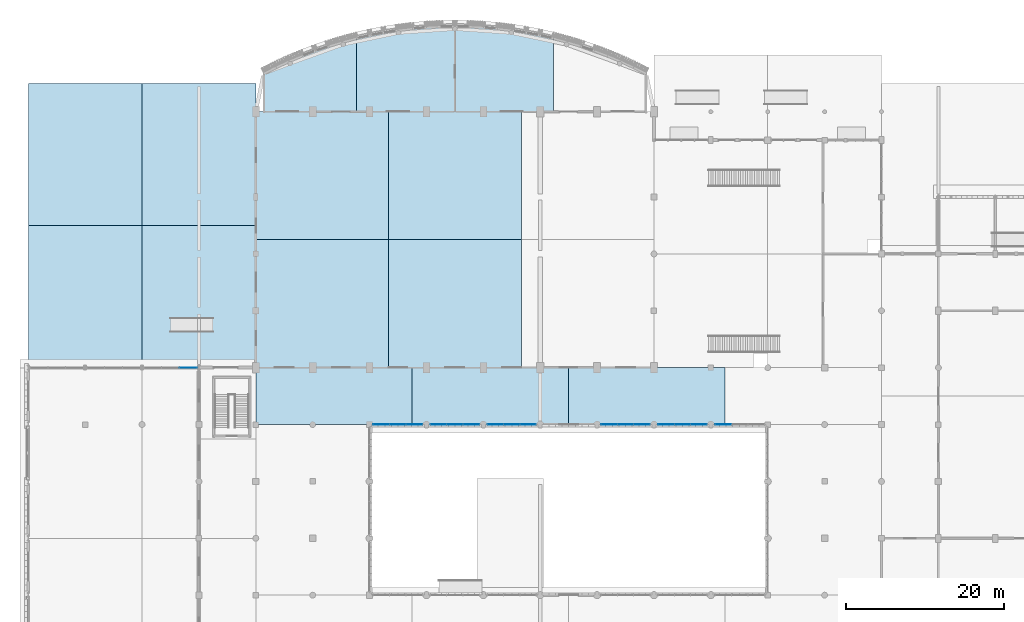
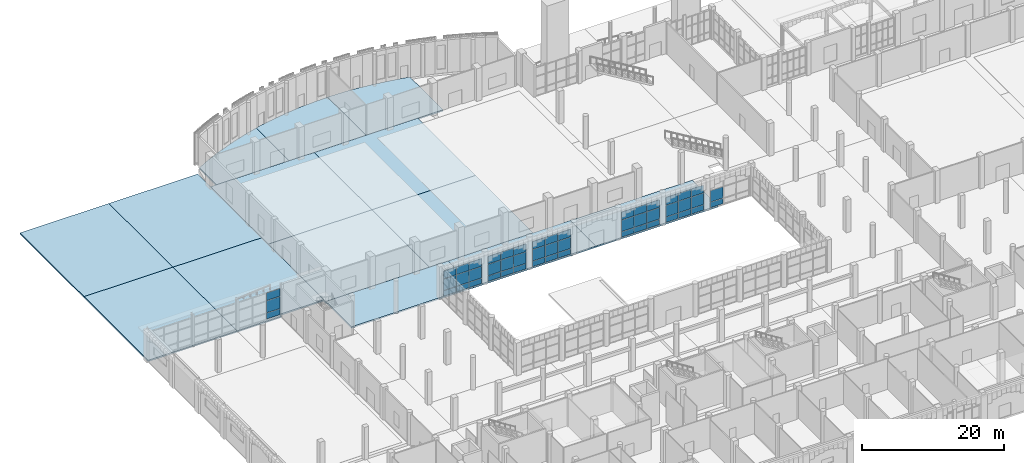
# One storey, part 42 of 85: 50 plates, 14 slabs, 7 elements without a shape of their own.
"""IFC4 building model written with IfcOpenShell, lengths in metres."""

from ifc_helpers import new_model, si_unit, direction, frame, origin, origin_2d, place, context, subcontext, project, spatial, polyline, rectangle, outline, extrude, material, layer, layer_set, type_object, element, aggregate, save


model = new_model("IFC4")

# Units and contexts
model_context = context("Model", 3, precision=1e-05, world=origin(), true_north=direction((0.0, 1.0)))
body_context = subcontext(model_context, "Body", "Model", "MODEL_VIEW")
ifc_project = project(units=[si_unit("LENGTHUNIT", "METRE"), si_unit("AREAUNIT", "SQUARE_METRE"), si_unit("VOLUMEUNIT", "CUBIC_METRE"), si_unit("PLANEANGLEUNIT", "RADIAN"), si_unit("MASSUNIT", "GRAM", prefix="KILO")], contexts=[model_context])

# Site, building, storey
site_placement = place(None, origin())
site = spatial("IfcSite", under=ifc_project, at=site_placement, CompositionType="ELEMENT")
building_placement = place(site_placement, origin())
building = spatial("IfcBuilding", under=site, at=building_placement, Name="Sardonyx Promenade Sports Hall", CompositionType="ELEMENT")
storey_placement = place(building_placement, origin())
storey = spatial("IfcBuildingStorey", under=building, at=storey_placement, Name="L00", CompositionType="ELEMENT", Elevation=0.0)

# Curtain wall, plates
ifc_material_1 = material(Name="Aluminium 6063-T6", Category="aluminium")
curtain_wall_type_1 = type_object("IfcCurtainWallType", Name="CW_Riwaq_L00_640", PredefinedType="USERDEFINED", material=ifc_material_1)
curtain_wall_1_placement = place(storey_placement, origin())
curtain_wall_1 = element("IfcCurtainWall", 1, at=curtain_wall_1_placement, inside=storey, type_object=curtain_wall_type_1, Name="Curtain wall CW17 cw:L00:109", ObjectType="CURTAIN WALL", PredefinedType="USERDEFINED")
ifc_material_2 = material(Name="Double-glazed acoustic IGU 32 mm", Category="glass")
ifc_layer_1 = layer(ifc_material_2, 0.031982421875)
ifc_layer_set_1 = layer_set([ifc_layer_1], Name="CW_Pan_Glz_32")
plate_type_1 = type_object("IfcPlateType", Name="CW_Pan_Glz_32", PredefinedType="CURTAIN_PANEL", material=ifc_layer_set_1)
plate_1_placement = place(storey_placement, frame((48.856689453125, 64.800048828125, 0.06494140625), z_axis=(0.0, 0.0, 1.0), x_axis=(-1.0, 0.0, 0.0)))
plate_1 = element("IfcPlate", 2, at=plate_1_placement, type_object=plate_type_1, Name="Curtain panel CP02 cw:L00:109 #1", PredefinedType="CURTAIN_PANEL", context=body_context, shape_type="SweptSolid", body=[
    extrude(rectangle(XDim=2.0166015625, YDim=0.031982421875, at=origin_2d()), origin(), (0.0, 0.0, 1.0), 0.902587890625),
])
plate_2_placement = place(storey_placement, frame((48.856689453125, 64.800048828125, 1.032470703125), z_axis=(0.0, 0.0, 1.0), x_axis=(-1.0, 0.0, 0.0)))
plate_2 = element("IfcPlate", 3, at=plate_2_placement, type_object=plate_type_1, Name="Curtain panel CP02 cw:L00:109 #2", PredefinedType="CURTAIN_PANEL", context=body_context, shape_type="SweptSolid", body=[
    extrude(rectangle(XDim=2.0166015625, YDim=0.031982421875, at=origin_2d()), origin(), (0.0, 0.0, 1.0), 1.93505859375),
])
plate_3_placement = place(storey_placement, frame((48.856689453125, 64.800048828125, 3.03271484375), z_axis=(0.0, 0.0, 1.0), x_axis=(-1.0, 0.0, 0.0)))
plate_3 = element("IfcPlate", 4, at=plate_3_placement, type_object=plate_type_1, Name="Curtain panel CP02 cw:L00:109 #3", PredefinedType="CURTAIN_PANEL", context=body_context, shape_type="SweptSolid", body=[
    extrude(rectangle(XDim=2.0166015625, YDim=0.031982421875, at=origin_2d()), origin(), (0.0, 0.0, 1.0), 1.302490234375),
])
plate_4_placement = place(storey_placement, frame((46.77490234375, 64.800048828125, 0.06494140625), z_axis=(0.0, 0.0, 1.0), x_axis=(-1.0, 0.0, 0.0)))
plate_4 = element("IfcPlate", 5, at=plate_4_placement, type_object=plate_type_1, Name="Curtain panel CP02 cw:L00:109 #4", PredefinedType="CURTAIN_PANEL", context=body_context, shape_type="SweptSolid", body=[
    extrude(rectangle(XDim=2.0166015625, YDim=0.031982421875, at=origin_2d()), origin(), (0.0, 0.0, 1.0), 0.902587890625),
])
plate_5_placement = place(storey_placement, frame((46.77490234375, 64.800048828125, 1.032470703125), z_axis=(0.0, 0.0, 1.0), x_axis=(-1.0, 0.0, 0.0)))
plate_5 = element("IfcPlate", 6, at=plate_5_placement, type_object=plate_type_1, Name="Curtain panel CP02 cw:L00:109 #5", PredefinedType="CURTAIN_PANEL", context=body_context, shape_type="SweptSolid", body=[
    extrude(rectangle(XDim=2.0166015625, YDim=0.031982421875, at=origin_2d()), origin(), (0.0, 0.0, 1.0), 1.93505859375),
])
plate_6_placement = place(storey_placement, frame((46.77490234375, 64.800048828125, 3.03271484375), z_axis=(0.0, 0.0, 1.0), x_axis=(-1.0, 0.0, 0.0)))
plate_6 = element("IfcPlate", 7, at=plate_6_placement, type_object=plate_type_1, Name="Curtain panel CP02 cw:L00:109 #6", PredefinedType="CURTAIN_PANEL", context=body_context, shape_type="SweptSolid", body=[
    extrude(rectangle(XDim=2.0166015625, YDim=0.031982421875, at=origin_2d()), origin(), (0.0, 0.0, 1.0), 1.302490234375),
])
plate_7_placement = place(storey_placement, frame((44.693359375, 64.800048828125, 0.06494140625), z_axis=(0.0, 0.0, 1.0), x_axis=(-1.0, 0.0, 0.0)))
plate_7 = element("IfcPlate", 8, at=plate_7_placement, type_object=plate_type_1, Name="Curtain panel CP02 cw:L00:109 #7", PredefinedType="CURTAIN_PANEL", context=body_context, shape_type="SweptSolid", body=[
    extrude(rectangle(XDim=2.0166015625, YDim=0.031982421875, at=origin_2d()), origin(), (0.0, 0.0, 1.0), 0.902587890625),
])
plate_8_placement = place(storey_placement, frame((44.693359375, 64.800048828125, 1.032470703125), z_axis=(0.0, 0.0, 1.0), x_axis=(-1.0, 0.0, 0.0)))
plate_8 = element("IfcPlate", 9, at=plate_8_placement, type_object=plate_type_1, Name="Curtain panel CP02 cw:L00:109 #8", PredefinedType="CURTAIN_PANEL", context=body_context, shape_type="SweptSolid", body=[
    extrude(rectangle(XDim=2.0166015625, YDim=0.031982421875, at=origin_2d()), origin(), (0.0, 0.0, 1.0), 1.93505859375),
])
plate_9_placement = place(storey_placement, frame((44.693359375, 64.800048828125, 3.03271484375), z_axis=(0.0, 0.0, 1.0), x_axis=(-1.0, 0.0, 0.0)))
plate_9 = element("IfcPlate", 10, at=plate_9_placement, type_object=plate_type_1, Name="Curtain panel CP02 cw:L00:109 #9", PredefinedType="CURTAIN_PANEL", context=body_context, shape_type="SweptSolid", body=[
    extrude(rectangle(XDim=2.0166015625, YDim=0.031982421875, at=origin_2d()), origin(), (0.0, 0.0, 1.0), 1.302490234375),
])
aggregate(curtain_wall_1, [plate_1, plate_2, plate_3, plate_4, plate_5, plate_6, plate_7, plate_8, plate_9])

curtain_wall_2_placement = place(storey_placement, origin())
curtain_wall_2 = element("IfcCurtainWall", 11, at=curtain_wall_2_placement, inside=storey, type_object=curtain_wall_type_1, Name="Curtain wall CW17 cw:L00:111", ObjectType="CURTAIN WALL", PredefinedType="USERDEFINED")
plate_10_placement = place(storey_placement, frame((56.06494140625, 64.800048828125, 0.06494140625), z_axis=(0.0, 0.0, 1.0), x_axis=(-1.0, 0.0, 0.0)))
plate_10 = element("IfcPlate", 12, at=plate_10_placement, type_object=plate_type_1, Name="Curtain panel CP02 cw:L00:111 #1", PredefinedType="CURTAIN_PANEL", context=body_context, shape_type="SweptSolid", body=[
    extrude(rectangle(XDim=2.0, YDim=0.031982421875, at=origin_2d()), origin(), (0.0, 0.0, 1.0), 0.902587890625),
])
plate_11_placement = place(storey_placement, frame((56.06494140625, 64.800048828125, 1.032470703125), z_axis=(0.0, 0.0, 1.0), x_axis=(-1.0, 0.0, 0.0)))
plate_11 = element("IfcPlate", 13, at=plate_11_placement, type_object=plate_type_1, Name="Curtain panel CP02 cw:L00:111 #2", PredefinedType="CURTAIN_PANEL", context=body_context, shape_type="SweptSolid", body=[
    extrude(rectangle(XDim=2.0, YDim=0.031982421875, at=origin_2d()), origin(), (0.0, 0.0, 1.0), 1.93505859375),
])
plate_12_placement = place(storey_placement, frame((56.06494140625, 64.800048828125, 3.03271484375), z_axis=(0.0, 0.0, 1.0), x_axis=(-1.0, 0.0, 0.0)))
plate_12 = element("IfcPlate", 14, at=plate_12_placement, type_object=plate_type_1, Name="Curtain panel CP02 cw:L00:111 #3", PredefinedType="CURTAIN_PANEL", context=body_context, shape_type="SweptSolid", body=[
    extrude(rectangle(XDim=2.0, YDim=0.031982421875, at=origin_2d()), origin(), (0.0, 0.0, 1.0), 1.302490234375),
])
plate_13_placement = place(storey_placement, frame((54.0, 64.800048828125, 0.06494140625), z_axis=(0.0, 0.0, 1.0), x_axis=(-1.0, 0.0, 0.0)))
plate_13 = element("IfcPlate", 15, at=plate_13_placement, type_object=plate_type_1, Name="Curtain panel CP02 cw:L00:111 #4", PredefinedType="CURTAIN_PANEL", context=body_context, shape_type="SweptSolid", body=[
    extrude(rectangle(XDim=2.0, YDim=0.031982421875, at=origin_2d()), origin(), (0.0, 0.0, 1.0), 0.902587890625),
])
plate_14_placement = place(storey_placement, frame((54.0, 64.800048828125, 1.032470703125), z_axis=(0.0, 0.0, 1.0), x_axis=(-1.0, 0.0, 0.0)))
plate_14 = element("IfcPlate", 16, at=plate_14_placement, type_object=plate_type_1, Name="Curtain panel CP02 cw:L00:111 #5", PredefinedType="CURTAIN_PANEL", context=body_context, shape_type="SweptSolid", body=[
    extrude(rectangle(XDim=2.0, YDim=0.031982421875, at=origin_2d()), origin(), (0.0, 0.0, 1.0), 1.93505859375),
])
plate_15_placement = place(storey_placement, frame((54.0, 64.800048828125, 3.03271484375), z_axis=(0.0, 0.0, 1.0), x_axis=(-1.0, 0.0, 0.0)))
plate_15 = element("IfcPlate", 17, at=plate_15_placement, type_object=plate_type_1, Name="Curtain panel CP02 cw:L00:111 #6", PredefinedType="CURTAIN_PANEL", context=body_context, shape_type="SweptSolid", body=[
    extrude(rectangle(XDim=2.0, YDim=0.031982421875, at=origin_2d()), origin(), (0.0, 0.0, 1.0), 1.302490234375),
])
plate_16_placement = place(storey_placement, frame((51.93505859375, 64.800048828125, 0.06494140625), z_axis=(0.0, 0.0, 1.0), x_axis=(-1.0, 0.0, 0.0)))
plate_16 = element("IfcPlate", 18, at=plate_16_placement, type_object=plate_type_1, Name="Curtain panel CP02 cw:L00:111 #7", PredefinedType="CURTAIN_PANEL", context=body_context, shape_type="SweptSolid", body=[
    extrude(rectangle(XDim=2.0, YDim=0.031982421875, at=origin_2d()), origin(), (0.0, 0.0, 1.0), 0.902587890625),
])
plate_17_placement = place(storey_placement, frame((51.93505859375, 64.800048828125, 1.032470703125), z_axis=(0.0, 0.0, 1.0), x_axis=(-1.0, 0.0, 0.0)))
plate_17 = element("IfcPlate", 19, at=plate_17_placement, type_object=plate_type_1, Name="Curtain panel CP02 cw:L00:111 #8", PredefinedType="CURTAIN_PANEL", context=body_context, shape_type="SweptSolid", body=[
    extrude(rectangle(XDim=2.0, YDim=0.031982421875, at=origin_2d()), origin(), (0.0, 0.0, 1.0), 1.93505859375),
])
plate_18_placement = place(storey_placement, frame((51.93505859375, 64.800048828125, 3.03271484375), z_axis=(0.0, 0.0, 1.0), x_axis=(-1.0, 0.0, 0.0)))
plate_18 = element("IfcPlate", 20, at=plate_18_placement, type_object=plate_type_1, Name="Curtain panel CP02 cw:L00:111 #9", PredefinedType="CURTAIN_PANEL", context=body_context, shape_type="SweptSolid", body=[
    extrude(rectangle(XDim=2.0, YDim=0.031982421875, at=origin_2d()), origin(), (0.0, 0.0, 1.0), 1.302490234375),
])
aggregate(curtain_wall_2, [plate_10, plate_11, plate_12, plate_13, plate_14, plate_15, plate_16, plate_17, plate_18])

curtain_wall_3_placement = place(storey_placement, origin())
curtain_wall_3 = element("IfcCurtainWall", 21, at=curtain_wall_3_placement, inside=storey, type_object=curtain_wall_type_1, Name="Curtain wall CW17 cw:L00:113", ObjectType="CURTAIN WALL", PredefinedType="USERDEFINED")
plate_19_placement = place(storey_placement, frame((63.264892578125, 64.800048828125, 0.06494140625), z_axis=(0.0, 0.0, 1.0), x_axis=(-1.0, 0.0, 0.0)))
plate_19 = element("IfcPlate", 22, at=plate_19_placement, type_object=plate_type_1, Name="Curtain panel CP02 cw:L00:113 #1", PredefinedType="CURTAIN_PANEL", context=body_context, shape_type="SweptSolid", body=[
    extrude(rectangle(XDim=2.0, YDim=0.031982421875, at=origin_2d()), origin(), (0.0, 0.0, 1.0), 0.902587890625),
])
plate_20_placement = place(storey_placement, frame((63.264892578125, 64.800048828125, 1.032470703125), z_axis=(0.0, 0.0, 1.0), x_axis=(-1.0, 0.0, 0.0)))
plate_20 = element("IfcPlate", 23, at=plate_20_placement, type_object=plate_type_1, Name="Curtain panel CP02 cw:L00:113 #2", PredefinedType="CURTAIN_PANEL", context=body_context, shape_type="SweptSolid", body=[
    extrude(rectangle(XDim=2.0, YDim=0.031982421875, at=origin_2d()), origin(), (0.0, 0.0, 1.0), 1.93505859375),
])
plate_21_placement = place(storey_placement, frame((63.264892578125, 64.800048828125, 3.03271484375), z_axis=(0.0, 0.0, 1.0), x_axis=(-1.0, 0.0, 0.0)))
plate_21 = element("IfcPlate", 24, at=plate_21_placement, type_object=plate_type_1, Name="Curtain panel CP02 cw:L00:113 #3", PredefinedType="CURTAIN_PANEL", context=body_context, shape_type="SweptSolid", body=[
    extrude(rectangle(XDim=2.0, YDim=0.031982421875, at=origin_2d()), origin(), (0.0, 0.0, 1.0), 1.302490234375),
])
plate_22_placement = place(storey_placement, frame((61.199951171875, 64.800048828125, 0.06494140625), z_axis=(0.0, 0.0, 1.0), x_axis=(-1.0, 0.0, 0.0)))
plate_22 = element("IfcPlate", 25, at=plate_22_placement, type_object=plate_type_1, Name="Curtain panel CP02 cw:L00:113 #4", PredefinedType="CURTAIN_PANEL", context=body_context, shape_type="SweptSolid", body=[
    extrude(rectangle(XDim=2.0, YDim=0.031982421875, at=origin_2d()), origin(), (0.0, 0.0, 1.0), 0.902587890625),
])
plate_23_placement = place(storey_placement, frame((61.199951171875, 64.800048828125, 1.032470703125), z_axis=(0.0, 0.0, 1.0), x_axis=(-1.0, 0.0, 0.0)))
plate_23 = element("IfcPlate", 26, at=plate_23_placement, type_object=plate_type_1, Name="Curtain panel CP02 cw:L00:113 #5", PredefinedType="CURTAIN_PANEL", context=body_context, shape_type="SweptSolid", body=[
    extrude(rectangle(XDim=2.0, YDim=0.031982421875, at=origin_2d()), origin(), (0.0, 0.0, 1.0), 1.93505859375),
])
plate_24_placement = place(storey_placement, frame((61.199951171875, 64.800048828125, 3.03271484375), z_axis=(0.0, 0.0, 1.0), x_axis=(-1.0, 0.0, 0.0)))
plate_24 = element("IfcPlate", 27, at=plate_24_placement, type_object=plate_type_1, Name="Curtain panel CP02 cw:L00:113 #6", PredefinedType="CURTAIN_PANEL", context=body_context, shape_type="SweptSolid", body=[
    extrude(rectangle(XDim=2.0, YDim=0.031982421875, at=origin_2d()), origin(), (0.0, 0.0, 1.0), 1.302490234375),
])
plate_25_placement = place(storey_placement, frame((59.135009765625, 64.800048828125, 0.06494140625), z_axis=(0.0, 0.0, 1.0), x_axis=(-1.0, 0.0, 0.0)))
plate_25 = element("IfcPlate", 28, at=plate_25_placement, type_object=plate_type_1, Name="Curtain panel CP02 cw:L00:113 #7", PredefinedType="CURTAIN_PANEL", context=body_context, shape_type="SweptSolid", body=[
    extrude(rectangle(XDim=2.0, YDim=0.031982421875, at=origin_2d()), origin(), (0.0, 0.0, 1.0), 0.902587890625),
])
plate_26_placement = place(storey_placement, frame((59.135009765625, 64.800048828125, 1.032470703125), z_axis=(0.0, 0.0, 1.0), x_axis=(-1.0, 0.0, 0.0)))
plate_26 = element("IfcPlate", 29, at=plate_26_placement, type_object=plate_type_1, Name="Curtain panel CP02 cw:L00:113 #8", PredefinedType="CURTAIN_PANEL", context=body_context, shape_type="SweptSolid", body=[
    extrude(rectangle(XDim=2.0, YDim=0.031982421875, at=origin_2d()), origin(), (0.0, 0.0, 1.0), 1.93505859375),
])
plate_27_placement = place(storey_placement, frame((59.135009765625, 64.800048828125, 3.03271484375), z_axis=(0.0, 0.0, 1.0), x_axis=(-1.0, 0.0, 0.0)))
plate_27 = element("IfcPlate", 30, at=plate_27_placement, type_object=plate_type_1, Name="Curtain panel CP02 cw:L00:113 #9", PredefinedType="CURTAIN_PANEL", context=body_context, shape_type="SweptSolid", body=[
    extrude(rectangle(XDim=2.0, YDim=0.031982421875, at=origin_2d()), origin(), (0.0, 0.0, 1.0), 1.302490234375),
])
aggregate(curtain_wall_3, [plate_19, plate_20, plate_21, plate_22, plate_23, plate_24, plate_25, plate_26, plate_27])

curtain_wall_4_placement = place(storey_placement, origin())
curtain_wall_4 = element("IfcCurtainWall", 31, at=curtain_wall_4_placement, inside=storey, type_object=curtain_wall_type_1, Name="Curtain wall CW17 cw:L00:115", ObjectType="CURTAIN WALL", PredefinedType="USERDEFINED")
plate_28_placement = place(storey_placement, frame((77.6650390625, 64.800048828125, 0.06494140625), z_axis=(0.0, 0.0, 1.0), x_axis=(-1.0, 0.0, 0.0)))
plate_28 = element("IfcPlate", 32, at=plate_28_placement, type_object=plate_type_1, Name="Curtain panel CP02 cw:L00:115 #1", PredefinedType="CURTAIN_PANEL", context=body_context, shape_type="SweptSolid", body=[
    extrude(rectangle(XDim=2.0, YDim=0.031982421875, at=origin_2d()), origin(), (0.0, 0.0, 1.0), 0.902587890625),
])
plate_29_placement = place(storey_placement, frame((77.6650390625, 64.800048828125, 1.032470703125), z_axis=(0.0, 0.0, 1.0), x_axis=(-1.0, 0.0, 0.0)))
plate_29 = element("IfcPlate", 33, at=plate_29_placement, type_object=plate_type_1, Name="Curtain panel CP02 cw:L00:115 #2", PredefinedType="CURTAIN_PANEL", context=body_context, shape_type="SweptSolid", body=[
    extrude(rectangle(XDim=2.0, YDim=0.031982421875, at=origin_2d()), origin(), (0.0, 0.0, 1.0), 1.93505859375),
])
plate_30_placement = place(storey_placement, frame((77.6650390625, 64.800048828125, 3.03271484375), z_axis=(0.0, 0.0, 1.0), x_axis=(-1.0, 0.0, 0.0)))
plate_30 = element("IfcPlate", 34, at=plate_30_placement, type_object=plate_type_1, Name="Curtain panel CP02 cw:L00:115 #3", PredefinedType="CURTAIN_PANEL", context=body_context, shape_type="SweptSolid", body=[
    extrude(rectangle(XDim=2.0, YDim=0.031982421875, at=origin_2d()), origin(), (0.0, 0.0, 1.0), 1.302490234375),
])
plate_31_placement = place(storey_placement, frame((75.60009765625, 64.800048828125, 0.06494140625), z_axis=(0.0, 0.0, 1.0), x_axis=(-1.0, 0.0, 0.0)))
plate_31 = element("IfcPlate", 35, at=plate_31_placement, type_object=plate_type_1, Name="Curtain panel CP02 cw:L00:115 #4", PredefinedType="CURTAIN_PANEL", context=body_context, shape_type="SweptSolid", body=[
    extrude(rectangle(XDim=2.0, YDim=0.031982421875, at=origin_2d()), origin(), (0.0, 0.0, 1.0), 0.902587890625),
])
plate_32_placement = place(storey_placement, frame((75.60009765625, 64.800048828125, 1.032470703125), z_axis=(0.0, 0.0, 1.0), x_axis=(-1.0, 0.0, 0.0)))
plate_32 = element("IfcPlate", 36, at=plate_32_placement, type_object=plate_type_1, Name="Curtain panel CP02 cw:L00:115 #5", PredefinedType="CURTAIN_PANEL", context=body_context, shape_type="SweptSolid", body=[
    extrude(rectangle(XDim=2.0, YDim=0.031982421875, at=origin_2d()), origin(), (0.0, 0.0, 1.0), 1.93505859375),
])
plate_33_placement = place(storey_placement, frame((75.60009765625, 64.800048828125, 3.03271484375), z_axis=(0.0, 0.0, 1.0), x_axis=(-1.0, 0.0, 0.0)))
plate_33 = element("IfcPlate", 37, at=plate_33_placement, type_object=plate_type_1, Name="Curtain panel CP02 cw:L00:115 #6", PredefinedType="CURTAIN_PANEL", context=body_context, shape_type="SweptSolid", body=[
    extrude(rectangle(XDim=2.0, YDim=0.031982421875, at=origin_2d()), origin(), (0.0, 0.0, 1.0), 1.302490234375),
])
plate_34_placement = place(storey_placement, frame((73.534912109375, 64.800048828125, 0.06494140625), z_axis=(0.0, 0.0, 1.0), x_axis=(-1.0, 0.0, 0.0)))
plate_34 = element("IfcPlate", 38, at=plate_34_placement, type_object=plate_type_1, Name="Curtain panel CP02 cw:L00:115 #7", PredefinedType="CURTAIN_PANEL", context=body_context, shape_type="SweptSolid", body=[
    extrude(rectangle(XDim=2.0, YDim=0.031982421875, at=origin_2d()), origin(), (0.0, 0.0, 1.0), 0.902587890625),
])
plate_35_placement = place(storey_placement, frame((73.534912109375, 64.800048828125, 1.032470703125), z_axis=(0.0, 0.0, 1.0), x_axis=(-1.0, 0.0, 0.0)))
plate_35 = element("IfcPlate", 39, at=plate_35_placement, type_object=plate_type_1, Name="Curtain panel CP02 cw:L00:115 #8", PredefinedType="CURTAIN_PANEL", context=body_context, shape_type="SweptSolid", body=[
    extrude(rectangle(XDim=2.0, YDim=0.031982421875, at=origin_2d()), origin(), (0.0, 0.0, 1.0), 1.93505859375),
])
plate_36_placement = place(storey_placement, frame((73.534912109375, 64.800048828125, 3.03271484375), z_axis=(0.0, 0.0, 1.0), x_axis=(-1.0, 0.0, 0.0)))
plate_36 = element("IfcPlate", 40, at=plate_36_placement, type_object=plate_type_1, Name="Curtain panel CP02 cw:L00:115 #9", PredefinedType="CURTAIN_PANEL", context=body_context, shape_type="SweptSolid", body=[
    extrude(rectangle(XDim=2.0, YDim=0.031982421875, at=origin_2d()), origin(), (0.0, 0.0, 1.0), 1.302490234375),
])
aggregate(curtain_wall_4, [plate_28, plate_29, plate_30, plate_31, plate_32, plate_33, plate_34, plate_35, plate_36])

curtain_wall_5_placement = place(storey_placement, origin())
curtain_wall_5 = element("IfcCurtainWall", 41, at=curtain_wall_5_placement, inside=storey, type_object=curtain_wall_type_1, Name="Curtain wall CW17 cw:L00:117", ObjectType="CURTAIN WALL", PredefinedType="USERDEFINED")
plate_37_placement = place(storey_placement, frame((84.864990234375, 64.800048828125, 0.06494140625), z_axis=(0.0, 0.0, 1.0), x_axis=(-1.0, 0.0, 0.0)))
plate_37 = element("IfcPlate", 42, at=plate_37_placement, type_object=plate_type_1, Name="Curtain panel CP02 cw:L00:117 #1", PredefinedType="CURTAIN_PANEL", context=body_context, shape_type="SweptSolid", body=[
    extrude(rectangle(XDim=2.0, YDim=0.031982421875, at=origin_2d()), origin(), (0.0, 0.0, 1.0), 0.902587890625),
])
plate_38_placement = place(storey_placement, frame((84.864990234375, 64.800048828125, 1.032470703125), z_axis=(0.0, 0.0, 1.0), x_axis=(-1.0, 0.0, 0.0)))
plate_38 = element("IfcPlate", 43, at=plate_38_placement, type_object=plate_type_1, Name="Curtain panel CP02 cw:L00:117 #2", PredefinedType="CURTAIN_PANEL", context=body_context, shape_type="SweptSolid", body=[
    extrude(rectangle(XDim=2.0, YDim=0.031982421875, at=origin_2d()), origin(), (0.0, 0.0, 1.0), 1.93505859375),
])
plate_39_placement = place(storey_placement, frame((84.864990234375, 64.800048828125, 3.03271484375), z_axis=(0.0, 0.0, 1.0), x_axis=(-1.0, 0.0, 0.0)))
plate_39 = element("IfcPlate", 44, at=plate_39_placement, type_object=plate_type_1, Name="Curtain panel CP02 cw:L00:117 #3", PredefinedType="CURTAIN_PANEL", context=body_context, shape_type="SweptSolid", body=[
    extrude(rectangle(XDim=2.0, YDim=0.031982421875, at=origin_2d()), origin(), (0.0, 0.0, 1.0), 1.302490234375),
])
plate_40_placement = place(storey_placement, frame((82.800048828125, 64.800048828125, 0.06494140625), z_axis=(0.0, 0.0, 1.0), x_axis=(-1.0, 0.0, 0.0)))
plate_40 = element("IfcPlate", 45, at=plate_40_placement, type_object=plate_type_1, Name="Curtain panel CP02 cw:L00:117 #4", PredefinedType="CURTAIN_PANEL", context=body_context, shape_type="SweptSolid", body=[
    extrude(rectangle(XDim=2.0, YDim=0.031982421875, at=origin_2d()), origin(), (0.0, 0.0, 1.0), 0.902587890625),
])
plate_41_placement = place(storey_placement, frame((82.800048828125, 64.800048828125, 1.032470703125), z_axis=(0.0, 0.0, 1.0), x_axis=(-1.0, 0.0, 0.0)))
plate_41 = element("IfcPlate", 46, at=plate_41_placement, type_object=plate_type_1, Name="Curtain panel CP02 cw:L00:117 #5", PredefinedType="CURTAIN_PANEL", context=body_context, shape_type="SweptSolid", body=[
    extrude(rectangle(XDim=2.0, YDim=0.031982421875, at=origin_2d()), origin(), (0.0, 0.0, 1.0), 1.93505859375),
])
plate_42_placement = place(storey_placement, frame((82.800048828125, 64.800048828125, 3.03271484375), z_axis=(0.0, 0.0, 1.0), x_axis=(-1.0, 0.0, 0.0)))
plate_42 = element("IfcPlate", 47, at=plate_42_placement, type_object=plate_type_1, Name="Curtain panel CP02 cw:L00:117 #6", PredefinedType="CURTAIN_PANEL", context=body_context, shape_type="SweptSolid", body=[
    extrude(rectangle(XDim=2.0, YDim=0.031982421875, at=origin_2d()), origin(), (0.0, 0.0, 1.0), 1.302490234375),
])
plate_43_placement = place(storey_placement, frame((80.735107421875, 64.800048828125, 0.06494140625), z_axis=(0.0, 0.0, 1.0), x_axis=(-1.0, 0.0, 0.0)))
plate_43 = element("IfcPlate", 48, at=plate_43_placement, type_object=plate_type_1, Name="Curtain panel CP02 cw:L00:117 #7", PredefinedType="CURTAIN_PANEL", context=body_context, shape_type="SweptSolid", body=[
    extrude(rectangle(XDim=2.0, YDim=0.031982421875, at=origin_2d()), origin(), (0.0, 0.0, 1.0), 0.902587890625),
])
plate_44_placement = place(storey_placement, frame((80.735107421875, 64.800048828125, 1.032470703125), z_axis=(0.0, 0.0, 1.0), x_axis=(-1.0, 0.0, 0.0)))
plate_44 = element("IfcPlate", 49, at=plate_44_placement, type_object=plate_type_1, Name="Curtain panel CP02 cw:L00:117 #8", PredefinedType="CURTAIN_PANEL", context=body_context, shape_type="SweptSolid", body=[
    extrude(rectangle(XDim=2.0, YDim=0.031982421875, at=origin_2d()), origin(), (0.0, 0.0, 1.0), 1.93505859375),
])
plate_45_placement = place(storey_placement, frame((80.735107421875, 64.800048828125, 3.03271484375), z_axis=(0.0, 0.0, 1.0), x_axis=(-1.0, 0.0, 0.0)))
plate_45 = element("IfcPlate", 50, at=plate_45_placement, type_object=plate_type_1, Name="Curtain panel CP02 cw:L00:117 #9", PredefinedType="CURTAIN_PANEL", context=body_context, shape_type="SweptSolid", body=[
    extrude(rectangle(XDim=2.0, YDim=0.031982421875, at=origin_2d()), origin(), (0.0, 0.0, 1.0), 1.302490234375),
])
aggregate(curtain_wall_5, [plate_37, plate_38, plate_39, plate_40, plate_41, plate_42, plate_43, plate_44, plate_45])

curtain_wall_6_placement = place(storey_placement, origin())
curtain_wall_6 = element("IfcCurtainWall", 51, at=curtain_wall_6_placement, inside=storey, type_object=curtain_wall_type_1, Name="Curtain wall CW17 cw:L00:119", ObjectType="CURTAIN WALL", PredefinedType="USERDEFINED")
plate_46_placement = place(storey_placement, frame((87.95166015625, 64.800048828125, 0.06494140625), z_axis=(0.0, 0.0, 1.0), x_axis=(-1.0, 0.0, 0.0)))
plate_46 = element("IfcPlate", 52, at=plate_46_placement, type_object=plate_type_1, Name="Curtain panel CP02 cw:L00:119 #7", PredefinedType="CURTAIN_PANEL", context=body_context, shape_type="SweptSolid", body=[
    extrude(rectangle(XDim=2.033447265625, YDim=0.031982421875, at=origin_2d()), origin(), (0.0, 0.0, 1.0), 0.902587890625),
])
plate_47_placement = place(storey_placement, frame((87.95166015625, 64.800048828125, 1.032470703125), z_axis=(0.0, 0.0, 1.0), x_axis=(-1.0, 0.0, 0.0)))
plate_47 = element("IfcPlate", 53, at=plate_47_placement, type_object=plate_type_1, Name="Curtain panel CP02 cw:L00:119 #8", PredefinedType="CURTAIN_PANEL", context=body_context, shape_type="SweptSolid", body=[
    extrude(rectangle(XDim=2.033447265625, YDim=0.031982421875, at=origin_2d()), origin(), (0.0, 0.0, 1.0), 1.93505859375),
])
aggregate(curtain_wall_6, [plate_46, plate_47])

ifc_material_3 = material(Name="Aluminium 6063-T6", Category="aluminium")
curtain_wall_type_2 = type_object("IfcCurtainWallType", Name="CW_Climb_North_L00", PredefinedType="USERDEFINED", material=ifc_material_3)
curtain_wall_7_placement = place(storey_placement, origin())
curtain_wall_7 = element("IfcCurtainWall", 54, at=curtain_wall_7_placement, inside=storey, type_object=curtain_wall_type_2, Name="Curtain wall CW05 cw:L00:071", ObjectType="CURTAIN WALL", PredefinedType="USERDEFINED")
ifc_material_4 = material(Name="Laminated safety sports IGU 36 mm", Category="glass")
ifc_layer_2 = layer(ifc_material_4, 0.035888671875)
ifc_layer_set_2 = layer_set([ifc_layer_2], Name="CW_Pan_Glz_36")
plate_type_2 = type_object("IfcPlateType", Name="CW_Pan_Glz_36", PredefinedType="CURTAIN_PANEL", material=ifc_layer_set_2)
plate_48_placement = place(storey_placement, frame((20.263427734375, 72.0, 0.369873046875), z_axis=(0.0, 0.0, 1.0), x_axis=(1.0, 0.0, 0.0)))
plate_48 = element("IfcPlate", 55, at=plate_48_placement, type_object=plate_type_2, Name="Curtain panel CP03 cw:L00:071 #7", PredefinedType="CURTAIN_PANEL", context=body_context, shape_type="SweptSolid", body=[
    extrude(rectangle(XDim=2.193359375, YDim=0.035888671875, at=origin_2d()), origin(), (0.0, 0.0, 1.0), 0.9951171875),
])
plate_49_placement = place(storey_placement, frame((20.263427734375, 72.0, 1.43505859375), z_axis=(0.0, 0.0, 1.0), x_axis=(1.0, 0.0, 0.0)))
plate_49 = element("IfcPlate", 56, at=plate_49_placement, type_object=plate_type_2, Name="Curtain panel CP03 cw:L00:071 #8", PredefinedType="CURTAIN_PANEL", context=body_context, shape_type="SweptSolid", body=[
    extrude(rectangle(XDim=2.193359375, YDim=0.035888671875, at=origin_2d()), origin(), (0.0, 0.0, 1.0), 2.030029296875),
])
plate_50_placement = place(storey_placement, frame((20.263427734375, 72.0, 3.53515625), z_axis=(0.0, 0.0, 1.0), x_axis=(1.0, 0.0, 0.0)))
plate_50 = element("IfcPlate", 57, at=plate_50_placement, type_object=plate_type_2, Name="Curtain panel CP03 cw:L00:071 #9", PredefinedType="CURTAIN_PANEL", context=body_context, shape_type="SweptSolid", body=[
    extrude(rectangle(XDim=2.193359375, YDim=0.035888671875, at=origin_2d()), origin(), (0.0, 0.0, 1.0), 1.294921875),
])
aggregate(curtain_wall_7, [plate_48, plate_49, plate_50])

# Slabs
ifc_material_5 = material(Name="Concrete C40/50", Category="concrete")
ifc_layer_3 = layer(ifc_material_5, 0.409912109375)
ifc_layer_set_3 = layer_set([ifc_layer_3], Name="Slab_Base_Court_300")
slab_type_1 = type_object("IfcSlabType", Name="Slab_Base_Court_300", PredefinedType="BASESLAB", material=ifc_layer_set_3)
slab_1_placement = place(storey_placement, frame((0.0, 0.0, -0.409912109375)))
element("IfcSlab", 58, at=slab_1_placement, inside=storey, type_object=slab_type_1, Name="Slab BS03 L00 #35", PredefinedType="BASESLAB", context=body_context, shape_type="SweptSolid", body=[
    extrude(outline(polyline([(28.800048828125, 88.199951171875), (28.800048828125, 72.0), (45.60009765625, 72.0), (45.60009765625, 88.199951171875), (28.800048828125, 88.199951171875)])), origin(), (0.0, 0.0, 1.0), 0.409912109375),
])
slab_2_placement = place(storey_placement, frame((0.0, 0.0, -0.409912109375)))
element("IfcSlab", 59, at=slab_2_placement, inside=storey, type_object=slab_type_1, Name="Slab BS03 L00 #36", PredefinedType="BASESLAB", context=body_context, shape_type="SweptSolid", body=[
    extrude(outline(polyline([(28.800048828125, 88.199951171875), (45.60009765625, 88.199951171875), (45.60009765625, 104.39990234375), (28.800048828125, 104.39990234375), (28.800048828125, 88.199951171875)])), origin(), (0.0, 0.0, 1.0), 0.409912109375),
])
slab_3_placement = place(storey_placement, frame((0.0, 0.0, -0.409912109375)))
element("IfcSlab", 60, at=slab_3_placement, inside=storey, type_object=slab_type_1, Name="Slab BS03 L00 #37", PredefinedType="BASESLAB", context=body_context, shape_type="SweptSolid", body=[
    extrude(outline(polyline([(45.60009765625, 72.0), (62.39990234375, 72.0), (62.39990234375, 88.199951171875), (45.60009765625, 88.199951171875), (45.60009765625, 72.0)])), origin(), (0.0, 0.0, 1.0), 0.409912109375),
])
slab_4_placement = place(storey_placement, frame((0.0, 0.0, -0.409912109375)))
element("IfcSlab", 61, at=slab_4_placement, inside=storey, type_object=slab_type_1, Name="Slab BS03 L00 #38", PredefinedType="BASESLAB", context=body_context, shape_type="SweptSolid", body=[
    extrude(outline(polyline([(45.60009765625, 88.199951171875), (62.39990234375, 88.199951171875), (62.39990234375, 104.39990234375), (45.60009765625, 104.39990234375), (45.60009765625, 88.199951171875)])), origin(), (0.0, 0.0, 1.0), 0.409912109375),
])
ifc_material_6 = material(Name="Concrete C40/50", Category="concrete")
ifc_layer_4 = layer(ifc_material_6, 0.25)
ifc_layer_set_4 = layer_set([ifc_layer_4], Name="Slab_Ext_Apron_180")
slab_type_2 = type_object("IfcSlabType", Name="Slab_Ext_Apron_180", PredefinedType="FLOOR", material=ifc_layer_set_4)
slab_5_placement = place(storey_placement, frame((0.0, 0.0, -0.25)))
element("IfcSlab", 62, at=slab_5_placement, inside=storey, type_object=slab_type_2, Name="Slab TS01 L00 #74", PredefinedType="FLOOR", context=body_context, shape_type="SweptSolid", body=[
    extrude(outline(polyline([(48.60009765625, 72.0), (28.800048828125, 72.0), (28.800048828125, 64.800048828125), (48.60009765625, 64.800048828125), (48.60009765625, 72.0)])), origin(), (0.0, 0.0, 1.0), 0.25),
])
slab_6_placement = place(storey_placement, frame((0.0, 0.0, -0.25)))
element("IfcSlab", 63, at=slab_6_placement, inside=storey, type_object=slab_type_2, Name="Slab TS01 L00 #75", PredefinedType="FLOOR", context=body_context, shape_type="SweptSolid", body=[
    extrude(outline(polyline([(48.60009765625, 64.800048828125), (68.39990234375, 64.800048828125), (68.39990234375, 72.0), (48.60009765625, 72.0), (48.60009765625, 64.800048828125)])), origin(), (0.0, 0.0, 1.0), 0.25),
])
slab_7_placement = place(storey_placement, frame((0.0, 0.0, -0.25)))
element("IfcSlab", 64, at=slab_7_placement, inside=storey, type_object=slab_type_2, Name="Slab TS01 L00 #76", PredefinedType="FLOOR", context=body_context, shape_type="SweptSolid", body=[
    extrude(outline(polyline([(68.39990234375, 64.800048828125), (88.199951171875, 64.800048828125), (88.199951171875, 72.0), (68.39990234375, 72.0), (68.39990234375, 64.800048828125)])), origin(), (0.0, 0.0, 1.0), 0.25),
])
slab_8_placement = place(storey_placement, frame((0.0, 0.0, -0.25)))
element("IfcSlab", 65, at=slab_8_placement, inside=storey, type_object=slab_type_2, Name="Slab TS01 L00 #84", PredefinedType="FLOOR", context=body_context, shape_type="SweptSolid", body=[
    extrude(outline(polyline([(0.0, 72.0), (14.39990234375, 72.0), (14.39990234375, 90.0), (0.0, 90.0), (0.0, 72.0)])), origin(), (0.0, 0.0, 1.0), 0.25),
])
slab_9_placement = place(storey_placement, frame((0.0, 0.0, -0.25)))
element("IfcSlab", 66, at=slab_9_placement, inside=storey, type_object=slab_type_2, Name="Slab TS01 L00 #85", PredefinedType="FLOOR", context=body_context, shape_type="SweptSolid", body=[
    extrude(outline(polyline([(0.0, 90.0), (14.39990234375, 90.0), (14.39990234375, 108.0), (0.0, 108.0), (0.0, 90.0)])), origin(), (0.0, 0.0, 1.0), 0.25),
])
slab_10_placement = place(storey_placement, frame((0.0, 0.0, -0.25)))
element("IfcSlab", 67, at=slab_10_placement, inside=storey, type_object=slab_type_2, Name="Slab TS01 L00 #86", PredefinedType="FLOOR", context=body_context, shape_type="SweptSolid", body=[
    extrude(outline(polyline([(14.39990234375, 72.0), (21.60009765625, 72.0), (21.60009765625, 72.5), (28.800048828125, 72.5), (28.800048828125, 90.0), (14.39990234375, 90.0), (14.39990234375, 72.0)])), origin(), (0.0, 0.0, 1.0), 0.25),
])
slab_11_placement = place(storey_placement, frame((0.0, 0.0, -0.25)))
element("IfcSlab", 68, at=slab_11_placement, inside=storey, type_object=slab_type_2, Name="Slab TS01 L00 #87", PredefinedType="FLOOR", context=body_context, shape_type="SweptSolid", body=[
    extrude(outline(polyline([(14.39990234375, 90.0), (28.800048828125, 90.0), (28.800048828125, 108.0), (14.39990234375, 108.0), (14.39990234375, 90.0)])), origin(), (0.0, 0.0, 1.0), 0.25),
])
slab_12_placement = place(storey_placement, frame((0.0, 0.0, -0.25)))
element("IfcSlab", 69, at=slab_12_placement, inside=storey, type_object=slab_type_2, Name="Bowed promenade loggia slab L00 #1", PredefinedType="FLOOR", context=body_context, shape_type="SweptSolid", body=[
    extrude(outline(polyline([(29.773681640625, 104.39990234375), (41.522216796875, 104.39990234375), (41.522216796875, 113.6806640625), (39.78271484375, 113.21875), (38.06005859375, 112.696533203125), (36.3564453125, 112.115234375), (34.674072265625, 111.475341796875), (33.014892578125, 110.777587890625), (31.380859375, 110.022705078125), (29.773681640625, 109.2119140625), (29.773681640625, 104.39990234375)])), origin(), (0.0, 0.0, 1.0), 0.25),
])
slab_13_placement = place(storey_placement, frame((0.0, 0.0, -0.25)))
element("IfcSlab", 70, at=slab_13_placement, inside=storey, type_object=slab_type_2, Name="Bowed promenade loggia slab L00 #2", PredefinedType="FLOOR", context=body_context, shape_type="SweptSolid", body=[
    extrude(outline(polyline([(41.522216796875, 104.39990234375), (54.0, 104.39990234375), (54.0, 115.199951171875), (52.2001953125, 115.1689453125), (50.402587890625, 115.075439453125), (48.609375, 114.919921875), (46.822509765625, 114.702392578125), (45.04443359375, 114.423095703125), (43.27685546875, 114.082275390625), (41.522216796875, 113.6806640625), (41.522216796875, 104.39990234375)])), origin(), (0.0, 0.0, 1.0), 0.25),
])
slab_14_placement = place(storey_placement, frame((0.0, 0.0, -0.25)))
element("IfcSlab", 71, at=slab_14_placement, inside=storey, type_object=slab_type_2, Name="Bowed promenade loggia slab L00 #3", PredefinedType="FLOOR", context=body_context, shape_type="SweptSolid", body=[
    extrude(outline(polyline([(54.0, 104.39990234375), (66.477783203125, 104.39990234375), (66.477783203125, 113.6806640625), (64.72314453125, 114.082275390625), (62.95556640625, 114.423095703125), (61.177490234375, 114.702392578125), (59.390625, 114.919921875), (57.597412109375, 115.075439453125), (55.7998046875, 115.1689453125), (54.0, 115.199951171875), (54.0, 104.39990234375)])), origin(), (0.0, 0.0, 1.0), 0.25),
])

save(model, "model.ifc")
